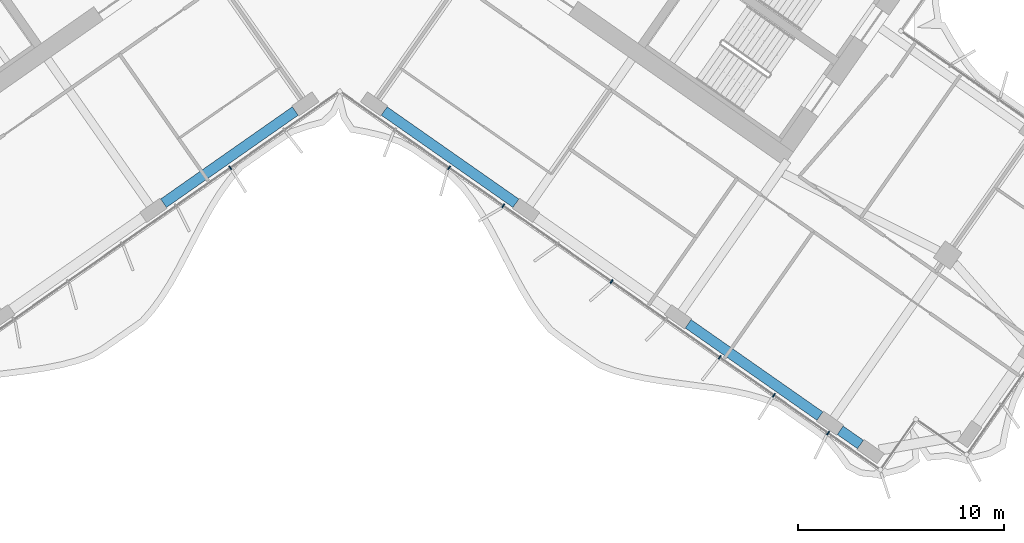
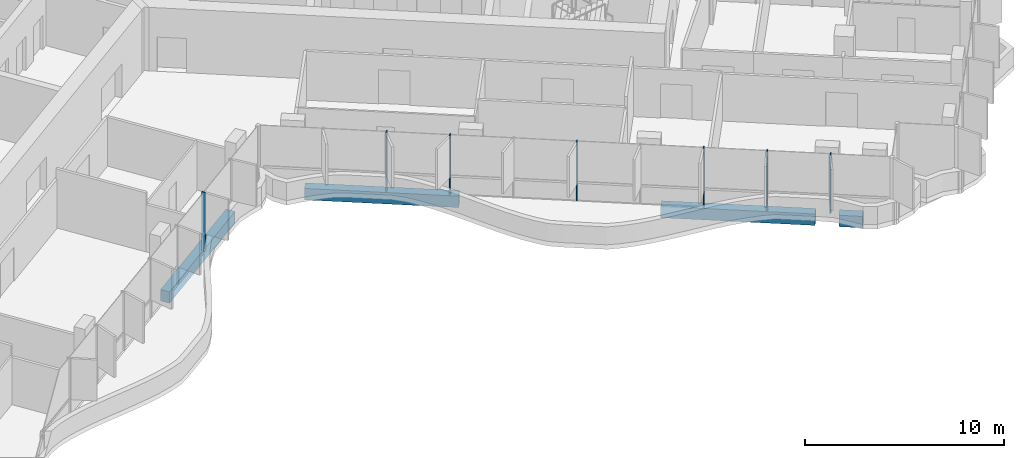
# One storey, part 5 of 23: 7 members, 4 beams, 1 element without a shape of its own.
"""IFC4 building model written with IfcOpenShell, lengths in metres."""

import ifcopenshell
import ifcopenshell.guid

model = None  # the IFC model being written
_history = None  # IfcOwnerHistory: only IFC2X3 demands one
_inside = {}  # id of a spatial element -> (the spatial element, [elements in it])
_under = {}  # id of a project, library or spatial element -> (it, [spatial elements below it])
_declared = {}  # id of a project -> (the project, [libraries it declares])
_typed = {}  # id of a type object -> (the type object, [elements of that type])
_made_of = {}  # id of a material, layer set ... -> (it, [elements and type objects made of it])


def new_model(schema):
    """Start an empty IFC model of exactly this schema.

    Asked for "IFC4X3", IfcOpenShell would pick the latest addendum, in which some entities
    have other attributes; the version numbers below select the first issue.
    IFC2X3 requires an IfcOwnerHistory on every rooted entity: one is made here for all.
    """
    global model, _history
    if schema == "IFC4X3":
        model = ifcopenshell.file(schema_version=(4, 3, 0, 0))
    else:
        model = ifcopenshell.file(schema=schema)
    _inside.clear()
    _under.clear()
    _declared.clear()
    _typed.clear()
    _made_of.clear()
    _history = None
    if model.schema == "IFC2X3":
        org = make("IfcOrganization", Name="unknown")
        user = make(
            "IfcPersonAndOrganization",
            ThePerson=make("IfcPerson", FamilyName="unknown"),
            TheOrganization=org,
        )
        app = make(
            "IfcApplication",
            ApplicationDeveloper=org,
            Version="unknown",
            ApplicationFullName="unknown",
            ApplicationIdentifier="unknown",
        )
        _history = make(
            "IfcOwnerHistory",
            OwningUser=user,
            OwningApplication=app,
            ChangeAction="ADDED",
            CreationDate=0,
        )
    return model


def make(cls, **values):
    """One entity of the class cls with the attributes given. An attribute that is None is left unset."""
    return model.create_entity(
        cls, **{name: value for name, value in values.items() if value is not None}
    )


def rooted(cls, **values):
    """An entity with a GlobalId (a new one), such as an element, a storey or a relation."""
    return make(cls, GlobalId=ifcopenshell.guid.new(), OwnerHistory=_history, **values)


def si_unit(unit_type, name, prefix=None):
    """IfcSIUnit, for example si_unit("LENGTHUNIT", "METRE", prefix="MILLI")."""
    return make("IfcSIUnit", UnitType=unit_type, Prefix=prefix, Name=name)


def assignment(units):
    """IfcUnitAssignment: the units of a project."""
    return None if units is None else make("IfcUnitAssignment", Units=units)


def point(xyz):
    """IfcCartesianPoint."""
    return None if xyz is None else make("IfcCartesianPoint", Coordinates=xyz)


def direction(xyz):
    """IfcDirection."""
    return None if xyz is None else make("IfcDirection", DirectionRatios=xyz)


def frame(location, z_axis=None, x_axis=None):
    """IfcAxis2Placement3D, a coordinate frame: its origin and axes. An axis left out is left unset."""
    return make(
        "IfcAxis2Placement3D",
        Location=point(location),
        Axis=direction(z_axis),
        RefDirection=direction(x_axis),
    )


def frame_2d(location, x_axis=None):
    """IfcAxis2Placement2D, a coordinate frame in the plane: its origin and x axis."""
    return make(
        "IfcAxis2Placement2D", Location=point(location), RefDirection=direction(x_axis)
    )


def origin():
    """The frame at (0, 0, 0) with its axes left unset."""
    return frame((0.0, 0.0, 0.0))


def origin_2d():
    """The frame at (0, 0) in the plane with its x axis left unset."""
    return frame_2d((0.0, 0.0))


def place(relative_to, where):
    """IfcLocalPlacement: puts the frame where relative to a parent placement (None: the world)."""
    return make(
        "IfcLocalPlacement", PlacementRelTo=relative_to, RelativePlacement=where
    )


def context(
    kind, dimensions, precision=None, world=None, true_north=None, identifier=None
):
    """IfcGeometricRepresentationContext, for example the 3D "Model" context."""
    return make(
        "IfcGeometricRepresentationContext",
        ContextIdentifier=identifier,
        ContextType=kind,
        CoordinateSpaceDimension=dimensions,
        Precision=precision,
        WorldCoordinateSystem=world,
        TrueNorth=true_north,
    )


def subcontext(parent, identifier, kind, view, scale=None):
    """IfcGeometricRepresentationSubContext, for example "Body" below "Model"."""
    return make(
        "IfcGeometricRepresentationSubContext",
        ContextIdentifier=identifier,
        ContextType=kind,
        ParentContext=parent,
        TargetScale=scale,
        TargetView=view,
    )


def project(units=None, contexts=None):
    """IfcProject with its units and contexts."""
    return rooted(
        "IfcProject",
        Name="project",
        RepresentationContexts=contexts,
        UnitsInContext=assignment(units),
    )


def spatial(cls, under=None, at=None, **own):
    """A site, building, storey or space (cls), placed at a placement, below another one or the project."""
    s = rooted(cls, ObjectPlacement=at, **own)
    if under is not None:
        _under.setdefault(under.id(), (under, []))[1].append(s)
    return s


def profile(cls, at=None, kind="AREA", **sizes):
    """A parametric profile (cls). Its sizes go by their IFC names, for example OverallWidth=200.0."""
    return make(cls, ProfileType=kind, Position=at, **sizes)


def rectangle(**sizes):
    """IfcRectangleProfileDef."""
    return profile("IfcRectangleProfileDef", **sizes)


def extrude(swept, where, along, depth):
    """IfcExtrudedAreaSolid: the profile swept, set in the frame where, extruded along a direction by depth."""
    return make(
        "IfcExtrudedAreaSolid",
        SweptArea=swept,
        Position=where,
        ExtrudedDirection=direction(along),
        Depth=depth,
    )


def shape(context_of_items, identifier, shape_type, items):
    """IfcShapeRepresentation: the items that make up one representation, for example the "Body"."""
    return make(
        "IfcShapeRepresentation",
        ContextOfItems=context_of_items,
        RepresentationIdentifier=identifier,
        RepresentationType=shape_type,
        Items=items,
    )


def material(Name=None, Category=None):
    """IfcMaterial."""
    return make("IfcMaterial", Name=Name, Category=Category)


def material_profile(
    of_material, cross_section, Name=None, Category=None, Priority=None
):
    """IfcMaterialProfile: a cross section and its material."""
    return make(
        "IfcMaterialProfile",
        Name=Name,
        Material=of_material,
        Profile=cross_section,
        Priority=Priority,
        Category=Category,
    )


def profile_set(profiles, Name=None, composite=None):
    """IfcMaterialProfileSet."""
    return make(
        "IfcMaterialProfileSet",
        Name=Name,
        MaterialProfiles=profiles,
        CompositeProfile=composite,
    )


def made_of(thing, what):
    """Note that an element or type object is made of a material, layer set ...; save() writes the relation."""
    if what is not None:
        _made_of.setdefault(what.id(), (what, []))[1].append(thing)
    return thing


def type_object(cls, material=None, **own):
    """A type object (cls), such as IfcWallType, which elements share."""
    return made_of(rooted(cls, **own), material)


def element(
    cls,
    number,
    at=None,
    inside=None,
    cuts=None,
    type_object=None,
    material=None,
    context=None,
    identifier="Body",
    shape_type=None,
    held_by="IfcProductDefinitionShape",
    body=None,
    shapes=None,
    **own,
):
    """One element of the class cls, such as IfcWall. Its Tag is "e" and its number.

    at: its placement. inside: the storey or other place that contains it. cuts: it is an
    opening in that element (IfcRelVoidsElement). A single representation is given by context,
    identifier, shape_type and body (its items); several are given by shapes. held_by: the class
    of the entity that holds the representations. save() writes the other relations.
    """
    e = rooted(cls, Tag="e%d" % number, ObjectPlacement=at, **own)
    if body is not None:
        shapes = [shape(context, identifier, shape_type, body)]
    if shapes is not None:
        e.Representation = make(held_by, Representations=shapes)
    if inside is not None:
        _inside.setdefault(inside.id(), (inside, []))[1].append(e)
    if cuts is not None:
        rooted(
            "IfcRelVoidsElement", RelatingBuildingElement=cuts, RelatedOpeningElement=e
        )
    if type_object is not None:
        _typed.setdefault(type_object.id(), (type_object, []))[1].append(e)
    return made_of(e, material)


def aggregate(whole, parts):
    """IfcRelAggregates: a whole, such as a stair, and the parts it consists of."""
    return rooted("IfcRelAggregates", RelatingObject=whole, RelatedObjects=parts)


def save(model, path):
    """Write the relations noted so far, then the file.

    IfcRelAggregates (storeys below a building ...), IfcRelContainedInSpatialStructure (elements
    in a storey), IfcRelDefinesByType, IfcRelAssociatesMaterial and IfcRelDeclares: one each for
    every whole, place, type object, material and project.
    """
    for whole, parts in _under.values():
        aggregate(whole, parts)
    for where, things in _inside.values():
        rooted(
            "IfcRelContainedInSpatialStructure",
            RelatedElements=things,
            RelatingStructure=where,
        )
    for kind, things in _typed.values():
        rooted("IfcRelDefinesByType", RelatedObjects=things, RelatingType=kind)
    for what, things in _made_of.values():
        rooted("IfcRelAssociatesMaterial", RelatedObjects=things, RelatingMaterial=what)
    for by, libraries in _declared.values():
        rooted("IfcRelDeclares", RelatingContext=by, RelatedDefinitions=libraries)
    model.write(path)


model = new_model("IFC4")

# Units and contexts
model_context = context("Model", 3, precision=1e-05, world=origin(), true_north=direction((0.0, 1.0)))
body_context = subcontext(model_context, "Body", "Model", "MODEL_VIEW")
ifc_project = project(units=[si_unit("LENGTHUNIT", "METRE"), si_unit("AREAUNIT", "SQUARE_METRE"), si_unit("VOLUMEUNIT", "CUBIC_METRE"), si_unit("PLANEANGLEUNIT", "RADIAN"), si_unit("MASSUNIT", "GRAM", prefix="KILO")], contexts=[model_context])

# Site, building, storey
site_placement = place(None, origin())
site = spatial("IfcSite", under=ifc_project, at=site_placement, CompositionType="ELEMENT")
building_placement = place(site_placement, origin())
building = spatial("IfcBuilding", under=site, at=building_placement, Name="Tel Ilan Convention Tower", CompositionType="ELEMENT")
storey_placement = place(building_placement, frame((0.0, 0.0, 174.89990234375)))
storey = spatial("IfcBuildingStorey", under=building, at=storey_placement, Name="L40", CompositionType="ELEMENT", Elevation=174.89990234375)

# Beams
ifc_material_1 = material(Name="Concrete C40/50", Category="concrete")
ifc_material_profile_1 = material_profile(ifc_material_1, rectangle(XDim=0.5, YDim=0.699951171875, at=origin_2d()), Name="RC 500x700")
ifc_profile_set_1 = profile_set([ifc_material_profile_1], Name="Concrete C40/50")
beam_type = type_object("IfcBeamType", Name="Beam RC 500x700 Concrete C40/50", PredefinedType="BEAM", material=ifc_profile_set_1)
for number, where, z_axis, x_axis, name in (
    (1, (-2.15673828125, -13.656982421875, -0.6298828125), (-0.819153977895, -0.573573674866, 0.0), (0.573573674866, -0.819153977895, 0.0), "L40 beam W-W-F1-W-F2"),
    (2, (2.15673828125, -13.656982421875, -0.6298828125), (0.819153977895, -0.573573674866, 0.0), (0.573573674866, 0.819153977895, 0.0), "L40 beam E-E-F1-E-F2"),
    (3, (16.901611328125, -23.981201171875, -0.6298828125), (0.819153977895, -0.573573674866, 0.0), (0.573573674866, 0.819153977895, 0.0), "L40 beam E-E-F3-E-F4"),
):
    element("IfcBeam", number, at=place(storey_placement, frame(where, z_axis=z_axis, x_axis=x_axis)), inside=storey, type_object=beam_type, Name=name, PredefinedType="BEAM", context=body_context, shape_type="SweptSolid", body=[
        extrude(rectangle(XDim=0.5, YDim=0.699951171875, at=origin_2d()), origin(), (0.0, 0.0, 1.0), 7.800048828125),
    ])
beam_placement = place(storey_placement, frame((24.27392578125, -29.1435546875, -0.6298828125), z_axis=(0.819155442668, -0.573571582932, 0.0), x_axis=(0.573571582932, 0.819155442668, 0.0)))
element("IfcBeam", 4, at=beam_placement, inside=storey, type_object=beam_type, Name="L40 beam E-E-F4-E-FC", PredefinedType="BEAM", context=body_context, shape_type="SweptSolid", body=[
    extrude(rectangle(XDim=0.5, YDim=0.699951171875, at=origin_2d()), origin(), (0.0, 0.0, 1.0), 1.199951171875),
])

# Curtain wall, members
ifc_material_2 = material(Name="Aluminium, bronze anodised", Category="aluminium")
curtain_wall_type = type_object("IfcCurtainWallType", Name="CW4 STICK CURTAIN WALL, OFFICE TINTED GLASS", PredefinedType="NOTDEFINED", material=ifc_material_2)
curtain_wall_placement = place(storey_placement, origin())
curtain_wall = element("IfcCurtainWall", 5, at=curtain_wall_placement, inside=storey, type_object=curtain_wall_type, Name="Curtain wall CW4-31.02", PredefinedType="NOTDEFINED")
ifc_material_3 = material(Name="Aluminium, bronze anodised", Category="aluminium")
ifc_material_profile_2 = material_profile(ifc_material_3, rectangle(XDim=0.06005859375, YDim=0.199951171875, at=origin_2d()), Name="CW MULLION 60x200")
ifc_profile_set_2 = profile_set([ifc_material_profile_2], Name="Aluminium, bronze anodised")
member_type = type_object("IfcMemberType", Name="CW MULLION 60x200", PredefinedType="MULLION", material=ifc_profile_set_2)
member_1_placement = place(storey_placement, frame((-5.307861328125, -16.41259765625, 0.0), z_axis=(0.0, 0.0, 1.0), x_axis=(0.819152044289, 0.573576436351, 0.0)))
member_1 = element("IfcMember", 6, at=member_1_placement, type_object=member_type, Name="Mullion", PredefinedType="MULLION", context=body_context, shape_type="SweptSolid", body=[
    extrude(rectangle(XDim=0.06005859375, YDim=0.199951171875, at=origin_2d()), origin(), (0.0, 0.0, 1.0), 3.6201171875),
])
member_2_placement = place(storey_placement, frame((5.307861328125, -16.41259765625, 0.0), z_axis=(0.0, 0.0, 1.0), x_axis=(0.819152044289, -0.573576436351, 0.0)))
member_2 = element("IfcMember", 7, at=member_2_placement, type_object=member_type, Name="Mullion", PredefinedType="MULLION", context=body_context, shape_type="SweptSolid", body=[
    extrude(rectangle(XDim=0.06005859375, YDim=0.199951171875, at=origin_2d()), origin(), (0.0, 0.0, 1.0), 3.6201171875),
])
member_3_placement = place(storey_placement, frame((7.932861328125, -18.250732421875, 0.0), z_axis=(0.0, 0.0, 1.0), x_axis=(0.819152044289, -0.573576436351, 0.0)))
member_3 = element("IfcMember", 8, at=member_3_placement, type_object=member_type, Name="Mullion", PredefinedType="MULLION", context=body_context, shape_type="SweptSolid", body=[
    extrude(rectangle(XDim=0.06005859375, YDim=0.199951171875, at=origin_2d()), origin(), (0.0, 0.0, 1.0), 3.6201171875),
])
member_4_placement = place(storey_placement, frame((13.183349609375, -21.92724609375, 0.0), z_axis=(0.0, 0.0, 1.0), x_axis=(0.819152044289, -0.573576436351, 0.0)))
member_4 = element("IfcMember", 9, at=member_4_placement, type_object=member_type, Name="Mullion", PredefinedType="MULLION", context=body_context, shape_type="SweptSolid", body=[
    extrude(rectangle(XDim=0.06005859375, YDim=0.199951171875, at=origin_2d()), origin(), (0.0, 0.0, 1.0), 3.6201171875),
])
member_5_placement = place(storey_placement, frame((18.433837890625, -25.603515625, 0.0), z_axis=(0.0, 0.0, 1.0), x_axis=(0.819152044289, -0.573576436351, 0.0)))
member_5 = element("IfcMember", 10, at=member_5_placement, type_object=member_type, Name="Mullion", PredefinedType="MULLION", context=body_context, shape_type="SweptSolid", body=[
    extrude(rectangle(XDim=0.06005859375, YDim=0.199951171875, at=origin_2d()), origin(), (0.0, 0.0, 1.0), 3.6201171875),
])
member_6_placement = place(storey_placement, frame((21.05908203125, -27.441650390625, 0.0), z_axis=(0.0, 0.0, 1.0), x_axis=(0.819152044289, -0.573576436351, 0.0)))
member_6 = element("IfcMember", 11, at=member_6_placement, type_object=member_type, Name="Mullion", PredefinedType="MULLION", context=body_context, shape_type="SweptSolid", body=[
    extrude(rectangle(XDim=0.06005859375, YDim=0.199951171875, at=origin_2d()), origin(), (0.0, 0.0, 1.0), 3.6201171875),
])
member_7_placement = place(storey_placement, frame((23.68408203125, -29.27978515625, 0.0), z_axis=(0.0, 0.0, 1.0), x_axis=(0.819152044289, -0.573576436351, 0.0)))
member_7 = element("IfcMember", 12, at=member_7_placement, type_object=member_type, Name="Mullion", PredefinedType="MULLION", context=body_context, shape_type="SweptSolid", body=[
    extrude(rectangle(XDim=0.06005859375, YDim=0.199951171875, at=origin_2d()), origin(), (0.0, 0.0, 1.0), 3.6201171875),
])
aggregate(curtain_wall, [member_1, member_2, member_3, member_4, member_5, member_6, member_7])

save(model, "model.ifc")
